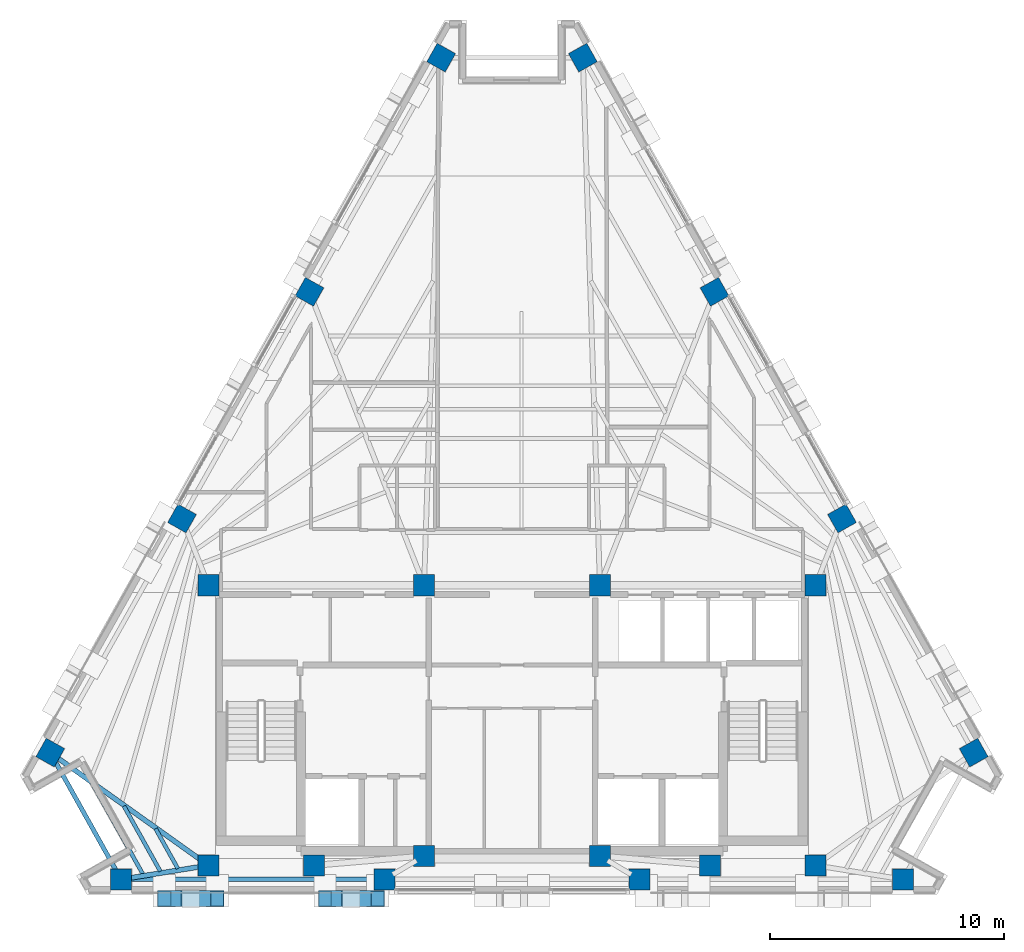
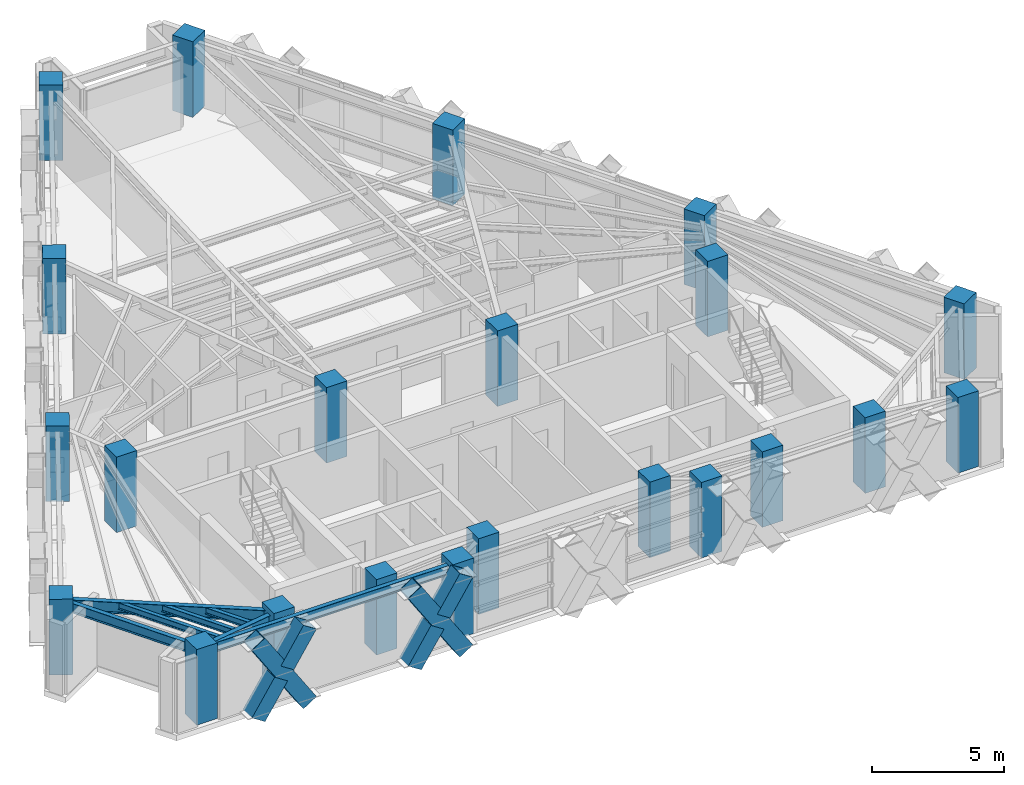
# One storey, part 1 of 13: 22 columns, 7 beams, 6 members.
"""IFC4 building model written with IfcOpenShell, lengths in metres."""

from ifc_helpers import new_model, si_unit, direction, frame, origin, origin_2d, place, context, subcontext, project, spatial, rectangle, hollow_rectangle, i_section, extrude, material, material_profile, profile_set, type_object, element, save


model = new_model("IFC4")

# Units and contexts
model_context = context("Model", 3, precision=1e-05, world=origin(), true_north=direction((0.0, 1.0)))
body_context = subcontext(model_context, "Body", "Model", "MODEL_VIEW")
ifc_project = project(units=[si_unit("LENGTHUNIT", "METRE"), si_unit("AREAUNIT", "SQUARE_METRE"), si_unit("VOLUMEUNIT", "CUBIC_METRE"), si_unit("PLANEANGLEUNIT", "RADIAN"), si_unit("MASSUNIT", "GRAM", prefix="KILO")], contexts=[model_context])

# Site, building, storey
site_placement = place(None, origin())
site = spatial("IfcSite", under=ifc_project, at=site_placement, CompositionType="ELEMENT")
building_placement = place(site_placement, origin())
building = spatial("IfcBuilding", under=site, at=building_placement, Name="Quenlor Broadcast Tower", CompositionType="ELEMENT")
storey_placement = place(building_placement, frame((0.0, 0.0, 214.89990234375)))
storey = spatial("IfcBuildingStorey", under=building, at=storey_placement, Name="L59", CompositionType="ELEMENT", Elevation=214.89990234375)

# Columns
ifc_material_1 = material(Name="Concrete C50/60", Category="concrete")
ifc_material_profile_1 = material_profile(ifc_material_1, rectangle(XDim=0.89990234375, YDim=0.89990234375, at=origin_2d()))
ifc_profile_set_1 = profile_set([ifc_material_profile_1], Name="Concrete C50/60 RC900x900")
column_type_1 = type_object("IfcColumnType", Name="Core Corner Column Upper Concrete C50/60 900", PredefinedType="COLUMN", material=ifc_profile_set_1)
for number, where, z_axis, x_axis, name in (
    (1, (-12.949951171875, -16.75, 0.0), (0.0, 0.0, 1.0), (1.0, 0.0, 0.0), "L59 Core Column CC1"),
    (2, (-8.449951171875, -16.75, 0.0), (0.0, 0.0, 1.0), (1.0, 0.0, 0.0), "L59 Core Column CC2"),
    (3, (-3.75, -16.35009765625, 0.0), (0.0, 0.0, 1.0), (1.0, 0.0, 0.0), "L59 Core Column CC3"),
    (4, (3.75, -16.35009765625, 0.0), (0.0, 0.0, 1.0), (1.0, 0.0, 0.0), "L59 Core Column CC4"),
    (5, (8.449951171875, -16.75, 0.0), (0.0, 0.0, 1.0), (1.0, 0.0, 0.0), "L59 Core Column CC5"),
    (6, (12.949951171875, -16.75, 0.0), (0.0, 0.0, 1.0), (1.0, 0.0, 0.0), "L59 Core Column CC6"),
    (7, (-12.949951171875, -4.800048828125, 0.0), (0.0, 0.0, 1.0), (1.0, 0.0, 0.0), "L59 Core Column CC7"),
    (8, (-3.75, -4.800048828125, 0.0), (0.0, 0.0, 1.0), (1.0, 0.0, 0.0), "L59 Core Column CC8"),
    (9, (3.75, -4.800048828125, 0.0), (0.0, 0.0, 1.0), (1.0, 0.0, 0.0), "L59 Core Column CC9"),
    (10, (12.949951171875, -4.800048828125, 0.0), (0.0, 0.0, 1.0), (1.0, 0.0, 0.0), "L59 Core Column CC10"),
):
    element("IfcColumn", number, at=place(storey_placement, frame(where, z_axis=z_axis, x_axis=x_axis)), inside=storey, type_object=column_type_1, Name=name, PredefinedType="COLUMN", context=body_context, shape_type="SweptSolid", body=[
        extrude(rectangle(XDim=0.89990234375, YDim=0.89990234375, at=origin_2d()), origin(), (0.0, 0.0, 1.0), 3.5),
    ])
ifc_material_2 = material(Name="Concrete C50/60", Category="concrete")
ifc_material_profile_2 = material_profile(ifc_material_2, rectangle(XDim=0.89990234375, YDim=0.89990234375, at=origin_2d()))
ifc_profile_set_2 = profile_set([ifc_material_profile_2], Name="Concrete C50/60 RC900x900")
column_type_2 = type_object("IfcColumnType", Name="Tower Perimeter Column Z4 Concrete C50/60 900", PredefinedType="COLUMN", material=ifc_profile_set_2)
for number, where, z_axis, x_axis, name in (
    (11, (-16.67578125, -17.35009765625, 0.0), (0.0, 0.0, 1.0), (0.0, 1.0, 0.0), "L59 Perimeter Column S1"),
    (12, (-5.437744140625, -17.35009765625, 0.0), (0.0, 0.0, 1.0), (0.0, 1.0, 0.0), "L59 Perimeter Column S2"),
    (13, (5.437744140625, -17.35009765625, 0.0), (0.0, 0.0, 1.0), (0.0, 1.0, 0.0), "L59 Perimeter Column S3"),
    (14, (16.67578125, -17.35009765625, 0.0), (0.0, 0.0, 1.0), (0.0, 1.0, 0.0), "L59 Perimeter Column S4"),
    (15, (19.696533203125, -11.941650390625, 0.0), (0.0, 0.0, 1.0), (0.871575139605, 0.490261946333, 0.0), "L59 Perimeter Column NE1"),
    (16, (14.077392578125, -1.952392578125, 0.0), (0.0, 0.0, 1.0), (0.871575139605, 0.490261946333, 0.0), "L59 Perimeter Column NE2"),
    (17, (8.6396484375, 7.71484375, 0.0), (0.0, 0.0, 1.0), (0.871575139605, 0.490261946333, 0.0), "L59 Perimeter Column NE3"),
    (18, (3.0205078125, 17.704345703125, 0.0), (0.0, 0.0, 1.0), (0.871575139605, 0.490261946333, 0.0), "L59 Perimeter Column NE4"),
    (19, (-3.0205078125, 17.704345703125, 0.0), (0.0, 0.0, 1.0), (-0.871575139605, 0.490261946333, 0.0), "L59 Perimeter Column NW1"),
    (20, (-8.6396484375, 7.71484375, 0.0), (0.0, 0.0, 1.0), (-0.871575139605, 0.490261946333, 0.0), "L59 Perimeter Column NW2"),
    (21, (-14.077392578125, -1.952392578125, 0.0), (0.0, 0.0, 1.0), (-0.871575139605, 0.490261946333, 0.0), "L59 Perimeter Column NW3"),
    (22, (-19.696533203125, -11.941650390625, 0.0), (0.0, 0.0, 1.0), (-0.871575139605, 0.490261946333, 0.0), "L59 Perimeter Column NW4"),
):
    element("IfcColumn", number, at=place(storey_placement, frame(where, z_axis=z_axis, x_axis=x_axis)), inside=storey, type_object=column_type_2, Name=name, PredefinedType="COLUMN", context=body_context, shape_type="SweptSolid", body=[
        extrude(rectangle(XDim=0.89990234375, YDim=0.89990234375, at=origin_2d()), origin(), (0.0, 0.0, 1.0), 3.5),
    ])

# Members
ifc_material_3 = material(Name="Steel S355", Category="steel")
ifc_material_profile_3 = material_profile(ifc_material_3, hollow_rectangle(XDim=0.679931640625, YDim=0.679931640625, WallThickness=0.02490234375, at=origin_2d()))
ifc_profile_set_3 = profile_set([ifc_material_profile_3], Name="Steel S355 RHS680x680x25")
member_type = type_object("IfcMemberType", Name="Perimeter Diagonal Lattice Brace Z3-Z4 Steel S355 RHS680x25", PredefinedType="BRACE", material=ifc_profile_set_3)
member_1_placement = place(storey_placement, frame((-5.722412109375, -18.169921875, -0.119873046875), z_axis=(-0.541794306908, 0.0, 0.840511111766), x_axis=(0.0, -1.0, 0.0)))
element("IfcMember", 23, at=member_1_placement, inside=storey, type_object=member_type, Name="L59 Perimeter Diamond Lattice S-C4XA", PredefinedType="BRACE", context=body_context, shape_type="SweptSolid", body=[
    extrude(hollow_rectangle(XDim=0.679931640625, YDim=0.679931640625, WallThickness=0.02490234375, at=origin_2d()), origin(), (0.0, 0.0, 1.0), 4.1640625),
])
member_2_placement = place(storey_placement, frame((-7.978515625, -18.169921875, -0.119873046875), z_axis=(0.54184151587, 0.0, 0.840480678945), x_axis=(0.0, 1.0, 0.0)))
element("IfcMember", 24, at=member_2_placement, inside=storey, type_object=member_type, Name="L59 Perimeter Diamond Lattice S-C4XB1", PredefinedType="BRACE", context=body_context, shape_type="SweptSolid", body=[
    extrude(hollow_rectangle(XDim=0.679931640625, YDim=0.679931640625, WallThickness=0.02490234375, at=origin_2d()), origin(), (0.0, 0.0, 1.0), 1.83203125),
])
member_3_placement = place(storey_placement, frame((-6.715087890625, -18.169921875, 1.840087890625), z_axis=(0.541780832962, 0.0, 0.840519796932), x_axis=(0.0, 1.0, 0.0)))
element("IfcMember", 25, at=member_3_placement, inside=storey, type_object=member_type, Name="L59 Perimeter Diamond Lattice S-C4XB2", PredefinedType="BRACE", context=body_context, shape_type="SweptSolid", body=[
    extrude(hollow_rectangle(XDim=0.679931640625, YDim=0.679931640625, WallThickness=0.02490234375, at=origin_2d()), origin(), (0.0, 0.0, 1.0), 1.832275390625),
])
member_4_placement = place(storey_placement, frame((-12.57275390625, -18.169921875, -0.119873046875), z_axis=(-0.541794306908, 0.0, 0.840511111766), x_axis=(0.0, -1.0, 0.0)))
element("IfcMember", 26, at=member_4_placement, inside=storey, type_object=member_type, Name="L59 Perimeter Diamond Lattice S-C5XA", PredefinedType="BRACE", context=body_context, shape_type="SweptSolid", body=[
    extrude(hollow_rectangle(XDim=0.679931640625, YDim=0.679931640625, WallThickness=0.02490234375, at=origin_2d()), origin(), (0.0, 0.0, 1.0), 4.1640625),
])
member_5_placement = place(storey_placement, frame((-14.828857421875, -18.169921875, -0.119873046875), z_axis=(0.54184151587, 0.0, 0.840480678945), x_axis=(0.0, 1.0, 0.0)))
element("IfcMember", 27, at=member_5_placement, inside=storey, type_object=member_type, Name="L59 Perimeter Diamond Lattice S-C5XB1", PredefinedType="BRACE", context=body_context, shape_type="SweptSolid", body=[
    extrude(hollow_rectangle(XDim=0.679931640625, YDim=0.679931640625, WallThickness=0.02490234375, at=origin_2d()), origin(), (0.0, 0.0, 1.0), 1.83203125),
])
member_6_placement = place(storey_placement, frame((-13.5654296875, -18.169921875, 1.840087890625), z_axis=(0.541780832962, 0.0, 0.840519796932), x_axis=(0.0, 1.0, 0.0)))
element("IfcMember", 28, at=member_6_placement, inside=storey, type_object=member_type, Name="L59 Perimeter Diamond Lattice S-C5XB2", PredefinedType="BRACE", context=body_context, shape_type="SweptSolid", body=[
    extrude(hollow_rectangle(XDim=0.679931640625, YDim=0.679931640625, WallThickness=0.02490234375, at=origin_2d()), origin(), (0.0, 0.0, 1.0), 1.832275390625),
])

# Beams
ifc_material_4 = material(Name="Steel S355", Category="steel")
ifc_material_profile_4 = material_profile(ifc_material_4, i_section(OverallWidth=0.18994140625, OverallDepth=0.453857421875, WebThickness=0.008544921875, FlangeThickness=0.0126953125, FilletRadius=0.011474609375, at=origin_2d()))
ifc_profile_set_4 = profile_set([ifc_material_profile_4], Name="Steel S355 460UB67.1")
beam_type_1 = type_object("IfcBeamType", Name="Perimeter Spandrel Beam Z4 Steel S355 460UB67.1", PredefinedType="SPANDREL", material=ifc_profile_set_4)
beam_1_placement = place(storey_placement, frame((-16.265869140625, -17.35009765625, 3.023193359375), z_axis=(1.0, 0.0, 0.0), x_axis=(0.0, 1.0, 0.0)))
element("IfcBeam", 29, at=beam_1_placement, inside=storey, type_object=beam_type_1, Name="L59 Spandrel Beam S1-S2", PredefinedType="SPANDREL", context=body_context, shape_type="SweptSolid", body=[
    extrude(i_section(OverallWidth=0.18994140625, OverallDepth=0.453857421875, WebThickness=0.008544921875, FlangeThickness=0.0126953125, FilletRadius=0.011474609375, at=origin_2d()), origin(), (0.0, 0.0, 1.0), 10.41796875),
])
beam_2_placement = place(storey_placement, frame((-19.49658203125, -12.2998046875, 3.023193359375), z_axis=(0.487647250206, -0.8730407547, 0.0), x_axis=(0.8730407547, 0.487647250206, 0.0)))
element("IfcBeam", 30, at=beam_2_placement, inside=storey, type_object=beam_type_1, Name="L59 Spandrel Beam NW4-S1", PredefinedType="SPANDREL", context=body_context, shape_type="SweptSolid", body=[
    extrude(i_section(OverallWidth=0.18994140625, OverallDepth=0.453857421875, WebThickness=0.008544921875, FlangeThickness=0.0126953125, FilletRadius=0.011474609375, at=origin_2d()), origin(), (0.0, 0.0, 1.0), 5.37451171875),
])
ifc_material_5 = material(Name="Steel S355", Category="steel")
ifc_material_profile_5 = material_profile(ifc_material_5, i_section(OverallWidth=0.166015625, OverallDepth=0.30712890625, WebThickness=0.006591796875, FlangeThickness=0.01171875, FilletRadius=0.011474609375, at=origin_2d()))
ifc_profile_set_5 = profile_set([ifc_material_profile_5], Name="Steel S355 310UB46.2")
beam_type_2 = type_object("IfcBeamType", Name="Tower Composite Joist Z4-Z5 Steel S355 310UB46.2", PredefinedType="JOIST", material=ifc_profile_set_5)
beam_3_placement = place(storey_placement, frame((-14.255859375, -16.88427734375, 3.096435546875), z_axis=(-0.487590799665, 0.873072283423, 0.0), x_axis=(-0.873072283423, -0.487590799665, 0.0)))
element("IfcBeam", 31, at=beam_3_placement, inside=storey, type_object=beam_type_2, Name="L59 Secondary Composite Joist 19", PredefinedType="JOIST", context=body_context, shape_type="SweptSolid", body=[
    extrude(i_section(OverallWidth=0.166015625, OverallDepth=0.30712890625, WebThickness=0.006591796875, FlangeThickness=0.01171875, FilletRadius=0.011474609375, at=origin_2d()), origin(), (0.0, 0.0, 1.0), 1.9462890625),
])
beam_4_placement = place(storey_placement, frame((-15.0009765625, -17.004150390625, 3.096435546875), z_axis=(-0.487646119388, 0.87304138633, 0.0), x_axis=(-0.87304138633, -0.487646119388, 0.0)))
element("IfcBeam", 32, at=beam_4_placement, inside=storey, type_object=beam_type_2, Name="L59 Secondary Composite Joist 20", PredefinedType="JOIST", context=body_context, shape_type="SweptSolid", body=[
    extrude(i_section(OverallWidth=0.166015625, OverallDepth=0.30712890625, WebThickness=0.006591796875, FlangeThickness=0.01171875, FilletRadius=0.011474609375, at=origin_2d()), origin(), (0.0, 0.0, 1.0), 3.18505859375),
])
beam_5_placement = place(storey_placement, frame((-15.74609375, -17.124267578125, 3.096435546875), z_axis=(-0.487604899573, 0.873064408799, 0.0), x_axis=(-0.873064408799, -0.487604899573, 0.0)))
element("IfcBeam", 33, at=beam_5_placement, inside=storey, type_object=beam_type_2, Name="L59 Secondary Composite Joist 21", PredefinedType="JOIST", context=body_context, shape_type="SweptSolid", body=[
    extrude(i_section(OverallWidth=0.166015625, OverallDepth=0.30712890625, WebThickness=0.006591796875, FlangeThickness=0.01171875, FilletRadius=0.011474609375, at=origin_2d()), origin(), (0.0, 0.0, 1.0), 4.424072265625),
])
ifc_material_6 = material(Name="Steel S355", Category="steel")
ifc_material_profile_6 = material_profile(ifc_material_6, i_section(OverallWidth=0.208984375, OverallDepth=0.5283203125, WebThickness=0.009521484375, FlangeThickness=0.01318359375, FilletRadius=0.013916015625, at=origin_2d()))
ifc_profile_set_6 = profile_set([ifc_material_profile_6], Name="Steel S355 530UB82.0")
beam_type_3 = type_object("IfcBeamType", Name="Tower Primary Floor Beam Z4 Steel S355 530UB82.0", PredefinedType="BEAM", material=ifc_profile_set_6)
beam_6_placement = place(storey_placement, frame((-16.27099609375, -17.284912109375, 2.986083984375), z_axis=(0.987268490875, 0.159062650942, 0.0), x_axis=(-0.159062650942, 0.987268490875, 0.0)))
element("IfcBeam", 34, at=beam_6_placement, inside=storey, type_object=beam_type_3, Name="L59 Primary Radial Beam S1", PredefinedType="BEAM", context=body_context, shape_type="SweptSolid", body=[
    extrude(i_section(OverallWidth=0.208984375, OverallDepth=0.5283203125, WebThickness=0.009521484375, FlangeThickness=0.01318359375, FilletRadius=0.013916015625, at=origin_2d()), origin(), (0.0, 0.0, 1.0), 2.98388671875),
])
beam_7_placement = place(storey_placement, frame((-19.362548828125, -12.1796875, 2.986083984375), z_axis=(0.814329531787, -0.580402802938, 0.0), x_axis=(0.580402802938, 0.814329531787, 0.0)))
element("IfcBeam", 35, at=beam_7_placement, inside=storey, type_object=beam_type_3, Name="L59 Primary Radial Beam NW4", PredefinedType="BEAM", context=body_context, shape_type="SweptSolid", body=[
    extrude(i_section(OverallWidth=0.208984375, OverallDepth=0.5283203125, WebThickness=0.009521484375, FlangeThickness=0.01318359375, FilletRadius=0.013916015625, at=origin_2d()), origin(), (0.0, 0.0, 1.0), 7.49462890625),
])

save(model, "model.ifc")
